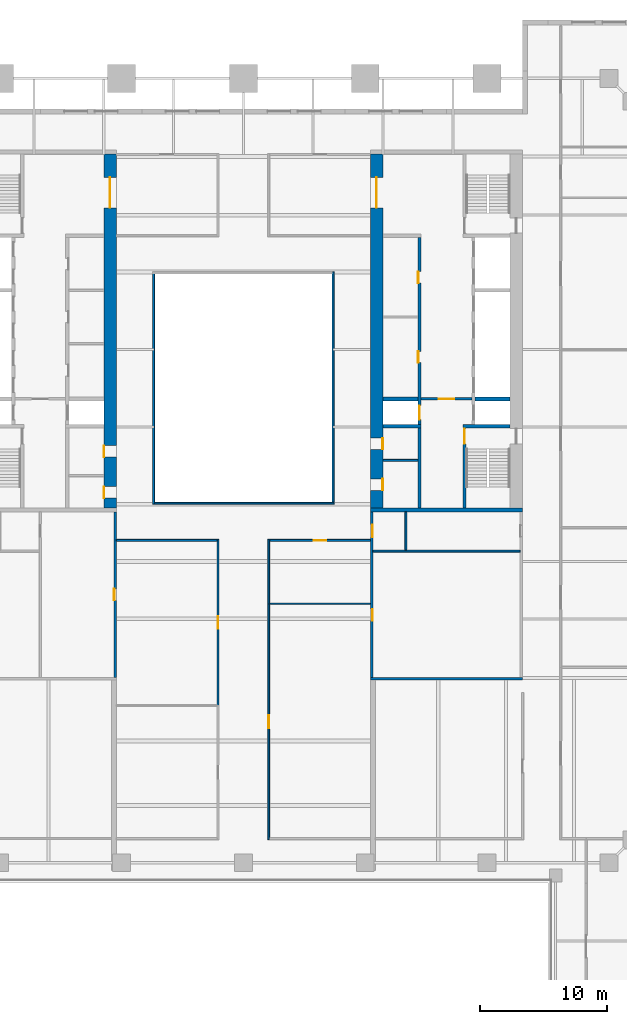
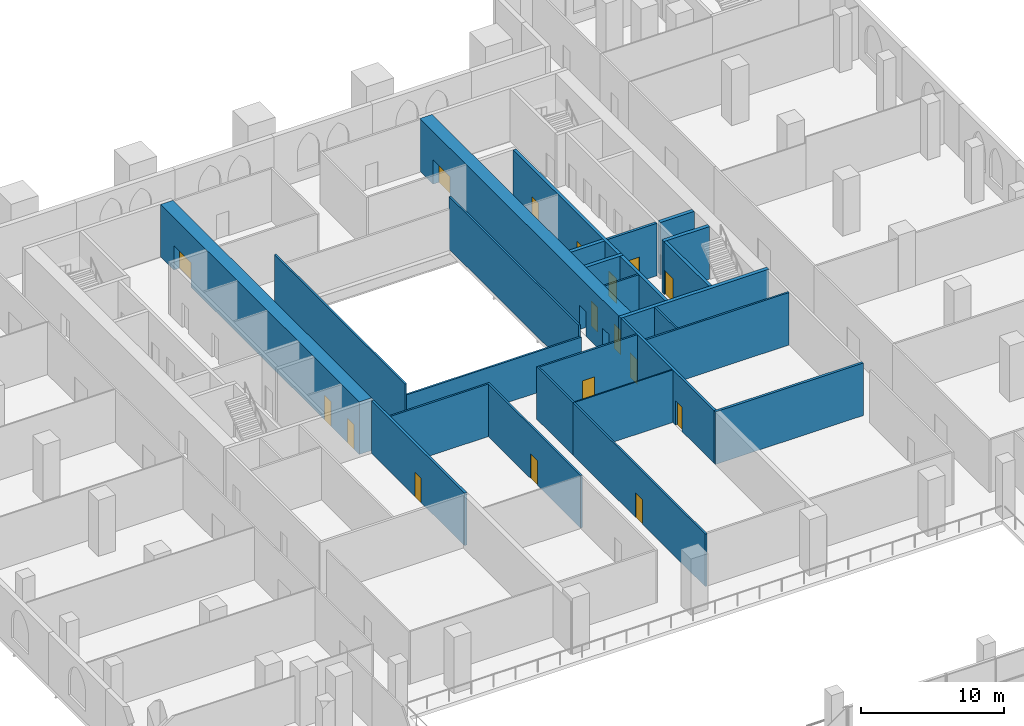
# One storey, part 11 of 19: 25 walls, 17 doors, 17 openings.
"""IFC4 building model written with IfcOpenShell, lengths in metres."""

from ifc_helpers import new_model, si_unit, direction, frame, frame_2d, origin, place, context, subcontext, project, spatial, rectangle, extrude, material, layer, layer_set, type_object, element, fill, save


model = new_model("IFC4")

# Units and contexts
model_context = context("Model", 3, precision=1e-05, world=origin(), true_north=direction((0.0, 1.0)))
body_context = subcontext(model_context, "Body", "Model", "MODEL_VIEW")
ifc_project = project(units=[si_unit("LENGTHUNIT", "METRE"), si_unit("AREAUNIT", "SQUARE_METRE"), si_unit("VOLUMEUNIT", "CUBIC_METRE"), si_unit("PLANEANGLEUNIT", "RADIAN"), si_unit("MASSUNIT", "GRAM", prefix="KILO")], contexts=[model_context])

# Site, building, storey
site_placement = place(None, origin())
site = spatial("IfcSite", under=ifc_project, at=site_placement, CompositionType="ELEMENT")
building_placement = place(site_placement, origin())
building = spatial("IfcBuilding", under=site, at=building_placement, Name="Ogive Exchange Tower", CompositionType="ELEMENT")
storey_placement = place(building_placement, frame((0.0, 0.0, 19.199951171875)))
storey = spatial("IfcBuildingStorey", under=building, at=storey_placement, Name="L03", CompositionType="ELEMENT", Elevation=19.199951171875)

# Walls
ifc_material_1 = material(Name="Gypsum board partition")
ifc_layer_1 = layer(ifc_material_1, 0.14990234375)
ifc_layer_set_1 = layer_set([ifc_layer_1], Name="Core room partition 150 gypsum")
wall_type_1 = type_object("IfcWallType", Name="Core room partition 150 gypsum", PredefinedType="PARTITIONING", material=ifc_layer_set_1)
wall_1_placement = place(storey_placement, frame((11.0, 1.300048828125, 0.0), z_axis=(0.0, 0.0, 1.0), x_axis=(1.0, 0.0, 0.0)))
element("IfcWall", 1, at=wall_1_placement, inside=storey, type_object=wall_type_1, Name="E south room partition", PredefinedType="PARTITIONING", context=body_context, shape_type="SweptSolid", body=[
    extrude(rectangle(XDim=2.75, YDim=0.14990234375, at=frame_2d((1.375, 0.0))), origin(), (0.0, 0.0, 1.0), 4.5),
])
wall_2_placement = place(storey_placement, frame((10.199951171875, -5.85009765625, 0.0), z_axis=(0.0, 0.0, 1.0), x_axis=(1.0, 0.0, 0.0)))
element("IfcWall", 2, at=wall_2_placement, inside=storey, type_object=wall_type_1, Name="E annex S wc strip wall 00", PredefinedType="PARTITIONING", context=body_context, shape_type="SweptSolid", body=[
    extrude(rectangle(XDim=11.60009765625, YDim=0.14990234375, at=frame_2d((5.800048828125, 0.0))), origin(), (0.0, 0.0, 1.0), 4.5),
])
wall_3_placement = place(storey_placement, frame((12.800048828125, -5.77490234375, 0.0), z_axis=(0.0, 0.0, 1.0), x_axis=(0.0, 1.0, 0.0)))
element("IfcWall", 3, at=wall_3_placement, inside=storey, type_object=wall_type_1, Name="E annex S wc partition 00", PredefinedType="PARTITIONING", context=body_context, shape_type="SweptSolid", body=[
    extrude(rectangle(XDim=3.02490234375, YDim=0.14990234375, at=frame_2d((1.512451171875, 0.0))), origin(), (0.0, 0.0, 1.0), 4.5),
])
ifc_material_2 = material(Name="Fire partition EI 60 150")
ifc_layer_2 = layer(ifc_material_2, 0.14990234375)
ifc_layer_set_2 = layer_set([ifc_layer_2], Name="Fire partition EI 60 150")
wall_type_2 = type_object("IfcWallType", Name="Fire partition EI 60 150", PredefinedType="PARTITIONING", material=ifc_layer_set_2)
wall_4_placement = place(storey_placement, frame((-10.0, -5.0, 0.0), z_axis=(0.0, 0.0, 1.0), x_axis=(1.0, 0.0, 0.0)))
element("IfcWall", 4, at=wall_4_placement, inside=storey, type_object=wall_type_2, Name="L03-PWL-021", PredefinedType="PARTITIONING", context=body_context, shape_type="SweptSolid", body=[
    extrude(rectangle(XDim=7.925048828125, YDim=0.14990234375, at=frame_2d((3.96240234375, 0.0))), origin(), (0.0, 0.0, 1.0), 4.5),
])

# Wall, opening, door
wall_5_placement = place(storey_placement, frame((2.074951171875, -5.0, 0.0), z_axis=(0.0, 0.0, 1.0), x_axis=(1.0, 0.0, 0.0)))
wall_5 = element("IfcWall", 5, at=wall_5_placement, inside=storey, type_object=wall_type_2, Name="L03-PWL-022", PredefinedType="PARTITIONING", context=body_context, shape_type="SweptSolid", body=[
    extrude(rectangle(XDim=7.925048828125, YDim=0.14990234375, at=frame_2d((3.96240234375, 0.0))), origin(), (0.0, 0.0, 1.0), 4.5),
])
opening_1_placement = place(wall_5_placement, frame((3.46240234375, 0.0, 0.0)))
opening_1 = element("IfcOpeningElement", 6, at=opening_1_placement, cuts=wall_5, Name="Opening L03-I23", PredefinedType="OPENING", context=body_context, shape_type="SweptSolid", body=[
    extrude(rectangle(XDim=1.0, YDim=2.10009765625, at=frame_2d((0.5, 1.050048828125))), frame((0.0, 0.0849609375, 0.0), z_axis=(0.0, -1.0, 0.0), x_axis=(1.0, 0.0, 0.0)), (0.0, 0.0, 1.0), 0.169921875),
])
ifc_material_3 = material(Name="Fire door FD 30S 1000 x 2100")
door_type_1 = type_object("IfcDoorType", Name="Fire door FD 30S 1000 x 2100", OperationType="NOTDEFINED", PredefinedType="DOOR", material=ifc_material_3)
door_1_placement = place(opening_1_placement, frame((1.0, 0.0, 0.0), z_axis=(0.0, 0.0, 1.0), x_axis=(-1.0, 0.0, 0.0)))
door_1 = element("IfcDoor", 7, at=door_1_placement, inside=storey, type_object=door_type_1, Name="L03-IDR-023", ObjectType="DT3", OperationType="SINGLE_SWING_RIGHT", OverallHeight=2.10009765625, OverallWidth=1.0, PredefinedType="DOOR", context=body_context, shape_type="SweptSolid", body=[
    extrude(rectangle(XDim=1.0, YDim=2.10009765625, at=frame_2d((0.5, 1.050048828125))), frame((0.0, 0.02490234375, 0.0), z_axis=(0.0, -1.0, 0.0), x_axis=(1.0, 0.0, 0.0)), (0.0, 0.0, 1.0), 0.050048828125),
])
fill(opening_1, door_1)

wall_6_placement = place(storey_placement, frame((-2.0, -18.0, 0.0), z_axis=(0.0, 0.0, 1.0), x_axis=(0.0, 1.0, 0.0)))
wall_6 = element("IfcWall", 8, at=wall_6_placement, inside=storey, type_object=wall_type_2, Name="L03-PWL-052", PredefinedType="PARTITIONING", context=body_context, shape_type="SweptSolid", body=[
    extrude(rectangle(XDim=13.074951171875, YDim=0.14990234375, at=frame_2d((6.53759765625, 0.0))), origin(), (0.0, 0.0, 1.0), 4.5),
])
opening_2_placement = place(wall_6_placement, frame((6.03759765625, 0.0, 0.0)))
opening_2 = element("IfcOpeningElement", 9, at=opening_2_placement, cuts=wall_6, Name="Opening L03-I21", PredefinedType="OPENING", context=body_context, shape_type="SweptSolid", body=[
    extrude(rectangle(XDim=1.0, YDim=2.10009765625, at=frame_2d((0.5, 1.050048828125))), frame((0.0, 0.0849609375, 0.0), z_axis=(0.0, -1.0, 0.0), x_axis=(1.0, 0.0, 0.0)), (0.0, 0.0, 1.0), 0.169921875),
])
door_2_placement = place(opening_2_placement, frame((1.0, 0.0, 0.0), z_axis=(0.0, 0.0, 1.0), x_axis=(-1.0, 0.0, 0.0)))
door_2 = element("IfcDoor", 10, at=door_2_placement, inside=storey, type_object=door_type_1, Name="L03-IDR-021", ObjectType="DT3", OperationType="SINGLE_SWING_RIGHT", OverallHeight=2.10009765625, OverallWidth=1.0, PredefinedType="DOOR", context=body_context, shape_type="SweptSolid", body=[
    extrude(rectangle(XDim=1.0, YDim=2.10009765625, at=frame_2d((0.5, 1.050048828125))), frame((0.0, 0.02490234375, 0.0), z_axis=(0.0, -1.0, 0.0), x_axis=(1.0, 0.0, 0.0)), (0.0, 0.0, 1.0), 0.050048828125),
])
fill(opening_2, door_2)

wall_7_placement = place(storey_placement, frame((2.0, -28.574951171875, 0.0), z_axis=(0.0, 0.0, 1.0), x_axis=(0.0, 1.0, 0.0)))
wall_7 = element("IfcWall", 11, at=wall_7_placement, inside=storey, type_object=wall_type_2, Name="L03-PWL-054", PredefinedType="PARTITIONING", context=body_context, shape_type="SweptSolid", body=[
    extrude(rectangle(XDim=18.574951171875, YDim=0.14990234375, at=frame_2d((9.28759765625, 0.0))), origin(), (0.0, 0.0, 1.0), 4.5),
])
opening_3_placement = place(wall_7_placement, frame((8.78759765625, 0.0, 0.0)))
opening_3 = element("IfcOpeningElement", 12, at=opening_3_placement, cuts=wall_7, Name="Opening L03-I22", PredefinedType="OPENING", context=body_context, shape_type="SweptSolid", body=[
    extrude(rectangle(XDim=1.0, YDim=2.10009765625, at=frame_2d((0.5, 1.050048828125))), frame((0.0, 0.0849609375, 0.0), z_axis=(0.0, -1.0, 0.0), x_axis=(1.0, 0.0, 0.0)), (0.0, 0.0, 1.0), 0.169921875),
])
door_3_placement = place(opening_3_placement, origin())
door_3 = element("IfcDoor", 13, at=door_3_placement, inside=storey, type_object=door_type_1, Name="L03-IDR-022", ObjectType="DT3", OperationType="SINGLE_SWING_LEFT", OverallHeight=2.10009765625, OverallWidth=1.0, PredefinedType="DOOR", context=body_context, shape_type="SweptSolid", body=[
    extrude(rectangle(XDim=1.0, YDim=2.10009765625, at=frame_2d((0.5, 1.050048828125))), frame((0.0, 0.02490234375, 0.0), z_axis=(0.0, -1.0, 0.0), x_axis=(1.0, 0.0, 0.0)), (0.0, 0.0, 1.0), 0.050048828125),
])
fill(opening_3, door_3)

# Walls
wall_8_placement = place(storey_placement, frame((2.0, -10.0, 0.0), z_axis=(0.0, 0.0, 1.0), x_axis=(0.0, 1.0, 0.0)))
element("IfcWall", 14, at=wall_8_placement, inside=storey, type_object=wall_type_2, Name="L03-PWL-055", PredefinedType="PARTITIONING", context=body_context, shape_type="SweptSolid", body=[
    extrude(rectangle(XDim=5.074951171875, YDim=0.14990234375, at=frame_2d((2.53759765625, 0.0))), origin(), (0.0, 0.0, 1.0), 4.5),
])
ifc_material_4 = material(Name="Fire-resisting glass in steel frame", Category="steel")
ifc_layer_3 = layer(ifc_material_4, 0.14990234375)
ifc_layer_set_3 = layer_set([ifc_layer_3], Name="Fire-rated glazed wall 150")
wall_type_3 = type_object("IfcWallType", Name="Fire-rated glazed wall 150", PredefinedType="STANDARD", material=ifc_layer_set_3)
wall_9_placement = place(storey_placement, frame((-7.074951171875, -2.14990234375, 0.0), z_axis=(0.0, 0.0, 1.0), x_axis=(0.0, 1.0, 0.0)))
element("IfcWall", 15, at=wall_9_placement, inside=storey, type_object=wall_type_3, Name="Nave enclosure wall 1", PredefinedType="STANDARD", context=body_context, shape_type="SweptSolid", body=[
    extrude(rectangle(XDim=18.2998046875, YDim=0.14990234375, at=frame_2d((9.14990234375, 0.0))), origin(), (0.0, 0.0, 1.0), 4.5),
])
wall_10_placement = place(storey_placement, frame((7.074951171875, 16.14990234375, 0.0), z_axis=(0.0, 0.0, 1.0), x_axis=(0.0, -1.0, 0.0)))
element("IfcWall", 16, at=wall_10_placement, inside=storey, type_object=wall_type_3, Name="Nave enclosure wall 3", PredefinedType="STANDARD", context=body_context, shape_type="SweptSolid", body=[
    extrude(rectangle(XDim=18.14990234375, YDim=0.14990234375, at=frame_2d((9.074951171875, 0.0))), origin(), (0.0, 0.0, 1.0), 4.5),
])
wall_11_placement = place(storey_placement, frame((7.14990234375, -2.074951171875, 0.0), z_axis=(0.0, 0.0, 1.0), x_axis=(-1.0, 0.0, 0.0)))
element("IfcWall", 17, at=wall_11_placement, inside=storey, type_object=wall_type_3, Name="Nave enclosure wall 4", PredefinedType="STANDARD", context=body_context, shape_type="SweptSolid", body=[
    extrude(rectangle(XDim=14.14990234375, YDim=0.14990234375, at=frame_2d((7.074951171875, 0.0))), origin(), (0.0, 0.0, 1.0), 3.52001953125),
])
ifc_material_5 = material(Name="Partition 100 gypsum")
ifc_layer_4 = layer(ifc_material_5, 0.10009765625)
ifc_layer_set_4 = layer_set([ifc_layer_4], Name="Partition 100 gypsum")
wall_type_4 = type_object("IfcWallType", Name="Partition 100 gypsum", PredefinedType="PARTITIONING", material=ifc_layer_set_4)
wall_12_placement = place(storey_placement, frame((2.074951171875, -10.0, 0.0), z_axis=(0.0, 0.0, 1.0), x_axis=(1.0, 0.0, 0.0)))
element("IfcWall", 18, at=wall_12_placement, inside=storey, type_object=wall_type_4, Name="L03-PWL-020", PredefinedType="PARTITIONING", context=body_context, shape_type="SweptSolid", body=[
    extrude(rectangle(XDim=7.925048828125, YDim=0.10009765625, at=frame_2d((3.96240234375, 0.0))), origin(), (0.0, 0.0, 1.0), 4.5),
])

# Wall, openings, doors
ifc_material_6 = material(Name="Concrete C70/85", Category="concrete")
ifc_layer_5 = layer(ifc_material_6, 1.0)
ifc_layer_set_5 = layer_set([ifc_layer_5], Name="RC core wall 1000 C70/85")
wall_type_5 = type_object("IfcWallType", Name="RC core wall 1000 C70/85", PredefinedType="SHEAR", material=ifc_layer_set_5)
wall_13_placement = place(storey_placement, frame((-10.5, -2.449951171875, 0.0), z_axis=(0.0, 0.0, 1.0), x_axis=(0.0, 1.0, 0.0)))
wall_13 = element("IfcWall", 19, at=wall_13_placement, inside=storey, type_object=wall_type_5, Name="W inner wall", PredefinedType="SHEAR", context=body_context, shape_type="SweptSolid", body=[
    extrude(rectangle(XDim=27.89990234375, YDim=1.0, at=frame_2d((13.949951171875, 0.0))), origin(), (0.0, 0.0, 1.0), 4.5),
])
opening_4_placement = place(wall_13_placement, frame((23.64990234375, 0.0, 0.0)))
opening_4 = element("IfcOpeningElement", 20, at=opening_4_placement, cuts=wall_13, Name="Opening L03-C13", PredefinedType="OPENING", context=body_context, shape_type="SweptSolid", body=[
    extrude(rectangle(XDim=2.39990234375, YDim=2.10009765625, at=frame_2d((1.199951171875, 1.050048828125))), frame((0.0, 0.510009765625, 0.0), z_axis=(0.0, -1.0, 0.0), x_axis=(1.0, 0.0, 0.0)), (0.0, 0.0, 1.0), 1.02001953125),
])
opening_5_placement = place(wall_13_placement, frame((0.78759765625, 0.0, 0.0)))
opening_5 = element("IfcOpeningElement", 21, at=opening_5_placement, cuts=wall_13, Name="Opening L03-C18", PredefinedType="OPENING", context=body_context, shape_type="SweptSolid", body=[
    extrude(rectangle(XDim=0.89990234375, YDim=2.10009765625, at=frame_2d((0.449951171875, 1.050048828125))), frame((0.0, 0.510009765625, 0.0), z_axis=(0.0, -1.0, 0.0), x_axis=(1.0, 0.0, 0.0)), (0.0, 0.0, 1.0), 1.02001953125),
])
opening_6_placement = place(wall_13_placement, frame((4.012451171875, 0.0, 0.0)))
opening_6 = element("IfcOpeningElement", 22, at=opening_6_placement, cuts=wall_13, Name="Opening L03-C19", PredefinedType="OPENING", context=body_context, shape_type="SweptSolid", body=[
    extrude(rectangle(XDim=0.89990234375, YDim=2.10009765625, at=frame_2d((0.449951171875, 1.050048828125))), frame((0.0, 0.510009765625, 0.0), z_axis=(0.0, -1.0, 0.0), x_axis=(1.0, 0.0, 0.0)), (0.0, 0.0, 1.0), 1.02001953125),
])
ifc_material_7 = material(Name="Timber fire door", Category="wood")
door_type_2 = type_object("IfcDoorType", Name="Core room door FD30S 900 x 2100", OperationType="NOTDEFINED", PredefinedType="DOOR", material=ifc_material_7)
door_4_placement = place(opening_5_placement, origin())
door_4 = element("IfcDoor", 23, at=door_4_placement, inside=storey, type_object=door_type_2, Name="Core room door", ObjectType="CD6", OperationType="SINGLE_SWING_RIGHT", OverallHeight=2.10009765625, OverallWidth=0.89990234375, PredefinedType="DOOR", context=body_context, shape_type="SweptSolid", body=[
    extrude(rectangle(XDim=0.89990234375, YDim=2.10009765625, at=frame_2d((0.449951171875, 1.050048828125))), frame((0.0, 0.5, 0.0), z_axis=(0.0, -1.0, 0.0), x_axis=(1.0, 0.0, 0.0)), (0.0, 0.0, 1.0), 0.050048828125),
])
fill(opening_5, door_4)
door_5_placement = place(opening_6_placement, origin())
door_5 = element("IfcDoor", 24, at=door_5_placement, inside=storey, type_object=door_type_2, Name="Core room door", ObjectType="CD6", OperationType="SINGLE_SWING_RIGHT", OverallHeight=2.10009765625, OverallWidth=0.89990234375, PredefinedType="DOOR", context=body_context, shape_type="SweptSolid", body=[
    extrude(rectangle(XDim=0.89990234375, YDim=2.10009765625, at=frame_2d((0.449951171875, 1.050048828125))), frame((0.0, 0.5, 0.0), z_axis=(0.0, -1.0, 0.0), x_axis=(1.0, 0.0, 0.0)), (0.0, 0.0, 1.0), 0.050048828125),
])
fill(opening_6, door_5)
ifc_material_8 = material(Name="Glazed steel fire door", Category="steel")
door_type_3 = type_object("IfcDoorType", Name="Lift lobby double door FD60 2400 x 2100", OperationType="DOUBLE_DOOR_SINGLE_SWING", PredefinedType="DOOR", material=ifc_material_8)
door_6_placement = place(opening_4_placement, frame((2.39990234375, 0.0, 0.0), z_axis=(0.0, 0.0, 1.0), x_axis=(-1.0, 0.0, 0.0)))
door_6 = element("IfcDoor", 25, at=door_6_placement, inside=storey, type_object=door_type_3, Name="Lift lobby double door", ObjectType="CD4", OperationType="DOUBLE_DOOR_SINGLE_SWING", OverallHeight=2.10009765625, OverallWidth=2.39990234375, PredefinedType="DOOR", context=body_context, shape_type="SweptSolid", body=[
    extrude(rectangle(XDim=2.39990234375, YDim=2.10009765625, at=frame_2d((1.199951171875, 1.050048828125))), frame((0.0, 0.02490234375, 0.0), z_axis=(0.0, -1.0, 0.0), x_axis=(1.0, 0.0, 0.0)), (0.0, 0.0, 1.0), 0.050048828125),
])
fill(opening_4, door_6)

wall_14_placement = place(storey_placement, frame((10.5, -2.449951171875, 0.0), z_axis=(0.0, 0.0, 1.0), x_axis=(0.0, 1.0, 0.0)))
wall_14 = element("IfcWall", 26, at=wall_14_placement, inside=storey, type_object=wall_type_5, Name="E inner wall", PredefinedType="SHEAR", context=body_context, shape_type="SweptSolid", body=[
    extrude(rectangle(XDim=27.89990234375, YDim=1.0, at=frame_2d((13.949951171875, 0.0))), origin(), (0.0, 0.0, 1.0), 4.5),
])
opening_7_placement = place(wall_14_placement, frame((23.64990234375, 0.0, 0.0)))
opening_7 = element("IfcOpeningElement", 27, at=opening_7_placement, cuts=wall_14, Name="Opening L03-C35", PredefinedType="OPENING", context=body_context, shape_type="SweptSolid", body=[
    extrude(rectangle(XDim=2.39990234375, YDim=2.10009765625, at=frame_2d((1.199951171875, 1.050048828125))), frame((0.0, 0.510009765625, 0.0), z_axis=(0.0, -1.0, 0.0), x_axis=(1.0, 0.0, 0.0)), (0.0, 0.0, 1.0), 1.02001953125),
])
opening_8_placement = place(wall_14_placement, frame((1.387451171875, 0.0, 0.0)))
opening_8 = element("IfcOpeningElement", 28, at=opening_8_placement, cuts=wall_14, Name="Opening L03-C40", PredefinedType="OPENING", context=body_context, shape_type="SweptSolid", body=[
    extrude(rectangle(XDim=0.89990234375, YDim=2.10009765625, at=frame_2d((0.449951171875, 1.050048828125))), frame((0.0, 0.510009765625, 0.0), z_axis=(0.0, -1.0, 0.0), x_axis=(1.0, 0.0, 0.0)), (0.0, 0.0, 1.0), 1.02001953125),
])
opening_9_placement = place(wall_14_placement, frame((4.612548828125, 0.0, 0.0)))
opening_9 = element("IfcOpeningElement", 29, at=opening_9_placement, cuts=wall_14, Name="Opening L03-C41", PredefinedType="OPENING", context=body_context, shape_type="SweptSolid", body=[
    extrude(rectangle(XDim=0.89990234375, YDim=2.10009765625, at=frame_2d((0.449951171875, 1.050048828125))), frame((0.0, 0.510009765625, 0.0), z_axis=(0.0, -1.0, 0.0), x_axis=(1.0, 0.0, 0.0)), (0.0, 0.0, 1.0), 1.02001953125),
])
door_7_placement = place(opening_8_placement, frame((0.89990234375, -0.9501953125, 0.0), z_axis=(0.0, 0.0, 1.0), x_axis=(-1.0, 0.0, 0.0)))
door_7 = element("IfcDoor", 30, at=door_7_placement, inside=storey, type_object=door_type_2, Name="Core room door", ObjectType="CD6", OperationType="SINGLE_SWING_RIGHT", OverallHeight=2.10009765625, OverallWidth=0.89990234375, PredefinedType="DOOR", context=body_context, shape_type="SweptSolid", body=[
    extrude(rectangle(XDim=0.89990234375, YDim=2.10009765625, at=frame_2d((0.449951171875, 1.050048828125))), frame((0.0, -0.4501953125, 0.0), z_axis=(0.0, -1.0, 0.0), x_axis=(1.0, 0.0, 0.0)), (0.0, 0.0, 1.0), 0.050048828125),
])
fill(opening_8, door_7)
door_8_placement = place(opening_7_placement, origin())
door_8 = element("IfcDoor", 31, at=door_8_placement, inside=storey, type_object=door_type_3, Name="Lift lobby double door", ObjectType="CD4", OperationType="DOUBLE_DOOR_SINGLE_SWING", OverallHeight=2.10009765625, OverallWidth=2.39990234375, PredefinedType="DOOR", context=body_context, shape_type="SweptSolid", body=[
    extrude(rectangle(XDim=2.39990234375, YDim=2.10009765625, at=frame_2d((1.199951171875, 1.050048828125))), frame((0.0, 0.02490234375, 0.0), z_axis=(0.0, -1.0, 0.0), x_axis=(1.0, 0.0, 0.0)), (0.0, 0.0, 1.0), 0.050048828125),
])
fill(opening_7, door_8)
ifc_material_9 = material(Name="Steel fire door", Category="steel")
door_type_4 = type_object("IfcDoorType", Name="Riser door FD60 900 x 2100", OperationType="NOTDEFINED", PredefinedType="DOOR", material=ifc_material_9)
door_9_placement = place(opening_9_placement, frame((0.89990234375, -0.9501953125, 0.0), z_axis=(0.0, 0.0, 1.0), x_axis=(-1.0, 0.0, 0.0)))
door_9 = element("IfcDoor", 32, at=door_9_placement, inside=storey, type_object=door_type_4, Name="Riser door", ObjectType="CD2", OperationType="SINGLE_SWING_RIGHT", OverallHeight=2.10009765625, OverallWidth=0.89990234375, PredefinedType="DOOR", context=body_context, shape_type="SweptSolid", body=[
    extrude(rectangle(XDim=0.89990234375, YDim=2.10009765625, at=frame_2d((0.449951171875, 1.050048828125))), frame((0.0, -0.4501953125, 0.0), z_axis=(0.0, -1.0, 0.0), x_axis=(1.0, 0.0, 0.0)), (0.0, 0.0, 1.0), 0.050048828125),
])
fill(opening_9, door_9)

# Wall, opening, door
ifc_layer_6 = layer(ifc_material_6, 0.199951171875)
ifc_layer_set_6 = layer_set([ifc_layer_6], Name="RC core wall 200 C70/85")
wall_type_6 = type_object("IfcWallType", Name="RC core wall 200 C70/85", PredefinedType="SHEAR", material=ifc_layer_set_6)
wall_15_placement = place(storey_placement, frame((-10.10009765625, -15.800048828125, 0.0), z_axis=(0.0, 0.0, 1.0), x_axis=(0.0, 1.0, 0.0)))
wall_15 = element("IfcWall", 33, at=wall_15_placement, inside=storey, type_object=wall_type_6, Name="W annex S inner wall", PredefinedType="SHEAR", context=body_context, shape_type="SweptSolid", body=[
    extrude(rectangle(XDim=13.050048828125, YDim=0.199951171875, at=frame_2d((6.52490234375, 0.0))), origin(), (0.0, 0.0, 1.0), 4.5),
])
opening_10_placement = place(wall_15_placement, frame((6.074951171875, 0.0, 0.0)))
opening_10 = element("IfcOpeningElement", 34, at=opening_10_placement, cuts=wall_15, Name="Opening L03-C23", PredefinedType="OPENING", context=body_context, shape_type="SweptSolid", body=[
    extrude(rectangle(XDim=0.89990234375, YDim=2.10009765625, at=frame_2d((0.449951171875, 1.050048828125))), frame((0.0, 0.10986328125, 0.0), z_axis=(0.0, -1.0, 0.0), x_axis=(1.0, 0.0, 0.0)), (0.0, 0.0, 1.0), 0.219970703125),
])
door_10_placement = place(opening_10_placement, origin())
door_10 = element("IfcDoor", 35, at=door_10_placement, inside=storey, type_object=door_type_4, Name="Riser door", ObjectType="CD2", OperationType="SINGLE_SWING_LEFT", OverallHeight=2.10009765625, OverallWidth=0.89990234375, PredefinedType="DOOR", context=body_context, shape_type="SweptSolid", body=[
    extrude(rectangle(XDim=0.89990234375, YDim=2.10009765625, at=frame_2d((0.449951171875, 1.050048828125))), frame((0.0, 0.10009765625, 0.0), z_axis=(0.0, -1.0, 0.0), x_axis=(1.0, 0.0, 0.0)), (0.0, 0.0, 1.0), 0.050048828125),
])
fill(opening_10, door_10)

wall_16_placement = place(storey_placement, frame((14.0, 6.142822265625, 0.0), z_axis=(0.0, 0.0, 1.0), x_axis=(1.0, 0.0, 0.0)))
wall_16 = element("IfcWall", 36, at=wall_16_placement, inside=storey, type_object=wall_type_6, Name="E firefighting lobby wall", PredefinedType="SHEAR", context=body_context, shape_type="SweptSolid", body=[
    extrude(rectangle(XDim=4.0, YDim=0.199951171875, at=frame_2d((2.0, 0.0))), origin(), (0.0, 0.0, 1.0), 4.5),
])
opening_11_placement = place(wall_16_placement, frame((1.39990234375, 0.0, 0.0)))
opening_11 = element("IfcOpeningElement", 37, at=opening_11_placement, cuts=wall_16, Name="Opening L03-C34", PredefinedType="OPENING", context=body_context, shape_type="SweptSolid", body=[
    extrude(rectangle(XDim=1.199951171875, YDim=2.10009765625, at=frame_2d((0.60009765625, 1.050048828125))), frame((0.0, 0.10986328125, 0.0), z_axis=(0.0, -1.0, 0.0), x_axis=(1.0, 0.0, 0.0)), (0.0, 0.0, 1.0), 0.219970703125),
])
door_type_5 = type_object("IfcDoorType", Name="Firefighting lobby door FD60 1200 x 2100", OperationType="NOTDEFINED", PredefinedType="DOOR", material=ifc_material_9)
door_11_placement = place(opening_11_placement, frame((1.199951171875, 0.0, 0.0), z_axis=(0.0, 0.0, 1.0), x_axis=(-1.0, 0.0, 0.0)))
door_11 = element("IfcDoor", 38, at=door_11_placement, inside=storey, type_object=door_type_5, Name="Firefighting lobby door", ObjectType="CD3", OperationType="SINGLE_SWING_RIGHT", OverallHeight=2.10009765625, OverallWidth=1.199951171875, PredefinedType="DOOR", context=body_context, shape_type="SweptSolid", body=[
    extrude(rectangle(XDim=1.199951171875, YDim=2.10009765625, at=frame_2d((0.60009765625, 1.050048828125))), frame((0.0, 0.02490234375, 0.0), z_axis=(0.0, -1.0, 0.0), x_axis=(1.0, 0.0, 0.0)), (0.0, 0.0, 1.0), 0.050048828125),
])
fill(opening_11, door_11)

# Wall, openings, doors
wall_17_placement = place(storey_placement, frame((10.10009765625, -15.800048828125, 0.0), z_axis=(0.0, 0.0, 1.0), x_axis=(0.0, 1.0, 0.0)))
wall_17 = element("IfcWall", 39, at=wall_17_placement, inside=storey, type_object=wall_type_6, Name="E annex S inner wall", PredefinedType="SHEAR", context=body_context, shape_type="SweptSolid", body=[
    extrude(rectangle(XDim=13.050048828125, YDim=0.199951171875, at=frame_2d((6.52490234375, 0.0))), origin(), (0.0, 0.0, 1.0), 4.5),
])
opening_12_placement = place(wall_17_placement, frame((4.487548828125, 0.0, 0.0)))
opening_12 = element("IfcOpeningElement", 40, at=opening_12_placement, cuts=wall_17, Name="Opening L03-C42", PredefinedType="OPENING", context=body_context, shape_type="SweptSolid", body=[
    extrude(rectangle(XDim=0.89990234375, YDim=2.10009765625, at=frame_2d((0.449951171875, 1.050048828125))), frame((0.0, 0.10986328125, 0.0), z_axis=(0.0, -1.0, 0.0), x_axis=(1.0, 0.0, 0.0)), (0.0, 0.0, 1.0), 0.219970703125),
])
opening_13_placement = place(wall_17_placement, frame((11.03759765625, 0.0, 0.0)))
opening_13 = element("IfcOpeningElement", 41, at=opening_13_placement, cuts=wall_17, Name="Opening L03-C43", PredefinedType="OPENING", context=body_context, shape_type="SweptSolid", body=[
    extrude(rectangle(XDim=1.0, YDim=2.10009765625, at=frame_2d((0.5, 1.050048828125))), frame((0.0, 0.10986328125, 0.0), z_axis=(0.0, -1.0, 0.0), x_axis=(1.0, 0.0, 0.0)), (0.0, 0.0, 1.0), 0.219970703125),
])
door_type_6 = type_object("IfcDoorType", Name="Accessible WC door FD30S 1000 x 2100", OperationType="NOTDEFINED", PredefinedType="DOOR", material=ifc_material_7)
door_12_placement = place(opening_13_placement, frame((1.0, -0.14990234375, 0.0), z_axis=(0.0, 0.0, 1.0), x_axis=(-1.0, 0.0, 0.0)))
door_12 = element("IfcDoor", 42, at=door_12_placement, inside=storey, type_object=door_type_6, Name="Accessible WC door", ObjectType="CD7", OperationType="SINGLE_SWING_RIGHT", OverallHeight=2.10009765625, OverallWidth=1.0, PredefinedType="DOOR", context=body_context, shape_type="SweptSolid", body=[
    extrude(rectangle(XDim=1.0, YDim=2.10009765625, at=frame_2d((0.5, 1.050048828125))), frame((0.0, -0.0498046875, 0.0), z_axis=(0.0, -1.0, 0.0), x_axis=(1.0, 0.0, 0.0)), (0.0, 0.0, 1.0), 0.050048828125),
])
fill(opening_13, door_12)
door_13_placement = place(opening_12_placement, frame((0.89990234375, -0.14990234375, 0.0), z_axis=(0.0, 0.0, 1.0), x_axis=(-1.0, 0.0, 0.0)))
door_13 = element("IfcDoor", 43, at=door_13_placement, inside=storey, type_object=door_type_4, Name="Riser door", ObjectType="CD2", OperationType="SINGLE_SWING_RIGHT", OverallHeight=2.10009765625, OverallWidth=0.89990234375, PredefinedType="DOOR", context=body_context, shape_type="SweptSolid", body=[
    extrude(rectangle(XDim=0.89990234375, YDim=2.10009765625, at=frame_2d((0.449951171875, 1.050048828125))), frame((0.0, -0.0498046875, 0.0), z_axis=(0.0, -1.0, 0.0), x_axis=(1.0, 0.0, 0.0)), (0.0, 0.0, 1.0), 0.050048828125),
])
fill(opening_12, door_13)

# Wall
wall_18_placement = place(storey_placement, frame((10.0, -15.89990234375, 0.0), z_axis=(0.0, 0.0, 1.0), x_axis=(1.0, 0.0, 0.0)))
element("IfcWall", 44, at=wall_18_placement, inside=storey, type_object=wall_type_6, Name="E annex S end wall", PredefinedType="SHEAR", context=body_context, shape_type="SweptSolid", body=[
    extrude(rectangle(XDim=12.0, YDim=0.199951171875, at=frame_2d((6.0, 0.0))), origin(), (0.0, 0.0, 1.0), 4.5),
])

# Wall, opening, door
ifc_layer_7 = layer(ifc_material_6, 0.25)
ifc_layer_set_7 = layer_set([ifc_layer_7], Name="RC core wall 250 C70/85")
wall_type_7 = type_object("IfcWallType", Name="RC core wall 250 C70/85", PredefinedType="SHEAR", material=ifc_layer_set_7)
wall_19_placement = place(storey_placement, frame((17.425048828125, -2.449951171875, 0.0), z_axis=(0.0, 0.0, 1.0), x_axis=(0.0, 1.0, 0.0)))
wall_19 = element("IfcWall", 45, at=wall_19_placement, inside=storey, type_object=wall_type_7, Name="E stair S front wall", PredefinedType="SHEAR", context=body_context, shape_type="SweptSolid", body=[
    extrude(rectangle(XDim=6.300048828125, YDim=0.25, at=frame_2d((3.14990234375, 0.0))), origin(), (0.0, 0.0, 1.0), 4.5),
])
opening_14_placement = place(wall_19_placement, frame((5.050048828125, 0.0, 0.0)))
opening_14 = element("IfcOpeningElement", 46, at=opening_14_placement, cuts=wall_19, Name="Opening L03-C36", PredefinedType="OPENING", context=body_context, shape_type="SweptSolid", body=[
    extrude(rectangle(XDim=1.199951171875, YDim=2.10009765625, at=frame_2d((0.60009765625, 1.050048828125))), frame((0.0, 0.135009765625, 0.0), z_axis=(0.0, -1.0, 0.0), x_axis=(1.0, 0.0, 0.0)), (0.0, 0.0, 1.0), 0.27001953125),
])
door_type_7 = type_object("IfcDoorType", Name="Stair door FD90 1200 x 2100", OperationType="NOTDEFINED", PredefinedType="DOOR", material=ifc_material_9)
door_14_placement = place(opening_14_placement, frame((1.199951171875, 0.0, 0.0), z_axis=(0.0, 0.0, 1.0), x_axis=(-1.0, 0.0, 0.0)))
door_14 = element("IfcDoor", 47, at=door_14_placement, inside=storey, type_object=door_type_7, Name="Stair door", ObjectType="CD5", OperationType="SINGLE_SWING_RIGHT", OverallHeight=2.10009765625, OverallWidth=1.199951171875, PredefinedType="DOOR", context=body_context, shape_type="SweptSolid", body=[
    extrude(rectangle(XDim=1.199951171875, YDim=2.10009765625, at=frame_2d((0.60009765625, 1.050048828125))), frame((0.0, 0.02490234375, 0.0), z_axis=(0.0, -1.0, 0.0), x_axis=(1.0, 0.0, 0.0)), (0.0, 0.0, 1.0), 0.050048828125),
])
fill(opening_14, door_14)

# Wall, openings, doors
wall_20_placement = place(storey_placement, frame((13.875, -2.449951171875, 0.0), z_axis=(0.0, 0.0, 1.0), x_axis=(0.0, 1.0, 0.0)))
wall_20 = element("IfcWall", 48, at=wall_20_placement, inside=storey, type_object=wall_type_7, Name="E row B front wall", PredefinedType="SHEAR", context=body_context, shape_type="SweptSolid", body=[
    extrude(rectangle(XDim=21.300048828125, YDim=0.25, at=frame_2d((10.64990234375, 0.0))), origin(), (0.0, 0.0, 1.0), 4.5),
])
opening_15_placement = place(wall_20_placement, frame((11.4462890625, 0.0, 0.0)))
opening_15 = element("IfcOpeningElement", 49, at=opening_15_placement, cuts=wall_20, Name="Opening L03-C31", PredefinedType="OPENING", context=body_context, shape_type="SweptSolid", body=[
    extrude(rectangle(XDim=0.89990234375, YDim=2.10009765625, at=frame_2d((0.449951171875, 1.050048828125))), frame((0.0, 0.135009765625, 0.0), z_axis=(0.0, -1.0, 0.0), x_axis=(1.0, 0.0, 0.0)), (0.0, 0.0, 1.0), 0.27001953125),
])
opening_16_placement = place(wall_20_placement, frame((17.72509765625, 0.0, 0.0)))
opening_16 = element("IfcOpeningElement", 50, at=opening_16_placement, cuts=wall_20, Name="Opening L03-C32", PredefinedType="OPENING", context=body_context, shape_type="SweptSolid", body=[
    extrude(rectangle(XDim=0.89990234375, YDim=2.10009765625, at=frame_2d((0.449951171875, 1.050048828125))), frame((0.0, 0.135009765625, 0.0), z_axis=(0.0, -1.0, 0.0), x_axis=(1.0, 0.0, 0.0)), (0.0, 0.0, 1.0), 0.27001953125),
])
opening_17_placement = place(wall_20_placement, frame((6.971435546875, 0.0, 0.0)))
opening_17 = element("IfcOpeningElement", 51, at=opening_17_placement, cuts=wall_20, Name="Opening L03-C33", PredefinedType="OPENING", context=body_context, shape_type="SweptSolid", body=[
    extrude(rectangle(XDim=1.10009765625, YDim=2.10009765625, at=frame_2d((0.550048828125, 1.050048828125))), frame((0.0, 0.135009765625, 0.0), z_axis=(0.0, -1.0, 0.0), x_axis=(1.0, 0.0, 0.0)), (0.0, 0.0, 1.0), 0.27001953125),
])
door_15_placement = place(opening_16_placement, origin())
door_15 = element("IfcDoor", 52, at=door_15_placement, inside=storey, type_object=door_type_2, Name="Core room door", ObjectType="CD6", OperationType="SINGLE_SWING_RIGHT", OverallHeight=2.10009765625, OverallWidth=0.89990234375, PredefinedType="DOOR", context=body_context, shape_type="SweptSolid", body=[
    extrude(rectangle(XDim=0.89990234375, YDim=2.10009765625, at=frame_2d((0.449951171875, 1.050048828125))), frame((0.0, 0.125, 0.0), z_axis=(0.0, -1.0, 0.0), x_axis=(1.0, 0.0, 0.0)), (0.0, 0.0, 1.0), 0.050048828125),
])
fill(opening_16, door_15)
ifc_material_10 = material(Name="Stainless steel", Category="steel")
door_type_8 = type_object("IfcDoorType", Name="Lift landing door FD90 1100 x 2100", OperationType="SLIDING_TO_LEFT", PredefinedType="DOOR", material=ifc_material_10)
door_16_placement = place(opening_17_placement, origin())
door_16 = element("IfcDoor", 53, at=door_16_placement, inside=storey, type_object=door_type_8, Name="Lift landing door SV2", ObjectType="LD", OperationType="SLIDING_TO_LEFT", OverallHeight=2.10009765625, OverallWidth=1.10009765625, PredefinedType="DOOR", context=body_context, shape_type="SweptSolid", body=[
    extrude(rectangle(XDim=1.10009765625, YDim=2.10009765625, at=frame_2d((0.550048828125, 1.050048828125))), frame((0.0, 0.02490234375, 0.0), z_axis=(0.0, -1.0, 0.0), x_axis=(1.0, 0.0, 0.0)), (0.0, 0.0, 1.0), 0.050048828125),
])
fill(opening_17, door_16)
door_17_placement = place(opening_15_placement, origin())
door_17 = element("IfcDoor", 54, at=door_17_placement, inside=storey, type_object=door_type_4, Name="Riser door", ObjectType="CD2", OperationType="SINGLE_SWING_RIGHT", OverallHeight=2.10009765625, OverallWidth=0.89990234375, PredefinedType="DOOR", context=body_context, shape_type="SweptSolid", body=[
    extrude(rectangle(XDim=0.89990234375, YDim=2.10009765625, at=frame_2d((0.449951171875, 1.050048828125))), frame((0.0, 0.125, 0.0), z_axis=(0.0, -1.0, 0.0), x_axis=(1.0, 0.0, 0.0)), (0.0, 0.0, 1.0), 0.050048828125),
])
fill(opening_15, door_17)

# Walls
ifc_layer_8 = layer(ifc_material_6, 0.300048828125)
ifc_layer_set_8 = layer_set([ifc_layer_8], Name="RC core wall 300 C70/85")
wall_type_8 = type_object("IfcWallType", Name="RC core wall 300 C70/85", PredefinedType="SHEAR", material=ifc_layer_set_8)
wall_21_placement = place(storey_placement, frame((10.0, -2.60009765625, 0.0), z_axis=(0.0, 0.0, 1.0), x_axis=(1.0, 0.0, 0.0)))
element("IfcWall", 55, at=wall_21_placement, inside=storey, type_object=wall_type_8, Name="E south end wall", PredefinedType="SHEAR", context=body_context, shape_type="SweptSolid", body=[
    extrude(rectangle(XDim=12.0, YDim=0.300048828125, at=frame_2d((6.0, 0.0))), origin(), (0.0, 0.0, 1.0), 4.5),
])
wall_22_placement = place(storey_placement, frame((17.300048828125, 4.0, 0.0), z_axis=(0.0, 0.0, 1.0), x_axis=(1.0, 0.0, 0.0)))
element("IfcWall", 56, at=wall_22_placement, inside=storey, type_object=wall_type_8, Name="E stair S north wall", PredefinedType="SHEAR", context=body_context, shape_type="SweptSolid", body=[
    extrude(rectangle(XDim=3.699951171875, YDim=0.300048828125, at=frame_2d((1.85009765625, 0.0))), origin(), (0.0, 0.0, 1.0), 4.5),
])
wall_23_placement = place(storey_placement, frame((18.25, 6.142822265625, 0.0), z_axis=(0.0, 0.0, 1.0), x_axis=(1.0, 0.0, 0.0)))
element("IfcWall", 57, at=wall_23_placement, inside=storey, type_object=wall_type_8, Name="E row A divider 1", PredefinedType="SHEAR", context=body_context, shape_type="SweptSolid", body=[
    extrude(rectangle(XDim=2.75, YDim=0.300048828125, at=frame_2d((1.375, 0.0))), origin(), (0.0, 0.0, 1.0), 4.5),
])
wall_24_placement = place(storey_placement, frame((11.0, 4.0, 0.0), z_axis=(0.0, 0.0, 1.0), x_axis=(1.0, 0.0, 0.0)))
element("IfcWall", 58, at=wall_24_placement, inside=storey, type_object=wall_type_8, Name="E row B divider 0", PredefinedType="SHEAR", context=body_context, shape_type="SweptSolid", body=[
    extrude(rectangle(XDim=3.0, YDim=0.300048828125, at=frame_2d((1.5, 0.0))), origin(), (0.0, 0.0, 1.0), 4.5),
])
wall_25_placement = place(storey_placement, frame((11.0, 6.142822265625, 0.0), z_axis=(0.0, 0.0, 1.0), x_axis=(1.0, 0.0, 0.0)))
element("IfcWall", 59, at=wall_25_placement, inside=storey, type_object=wall_type_8, Name="E row B divider 1", PredefinedType="SHEAR", context=body_context, shape_type="SweptSolid", body=[
    extrude(rectangle(XDim=2.75, YDim=0.300048828125, at=frame_2d((1.375, 0.0))), origin(), (0.0, 0.0, 1.0), 4.5),
])

save(model, "model.ifc")
